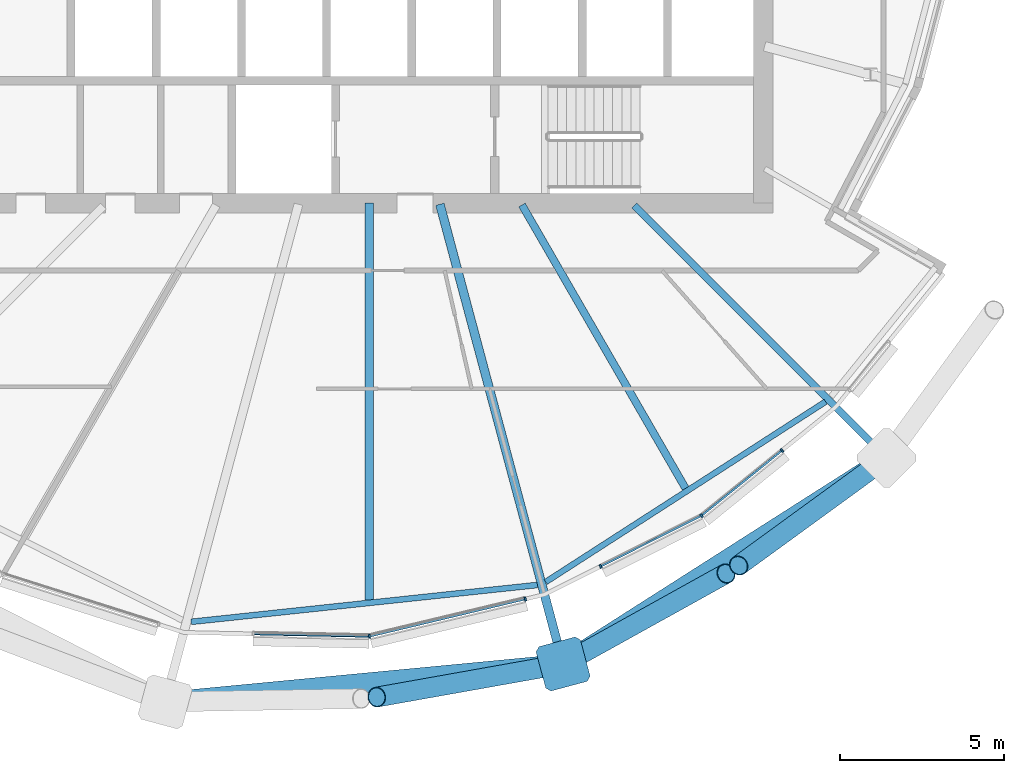
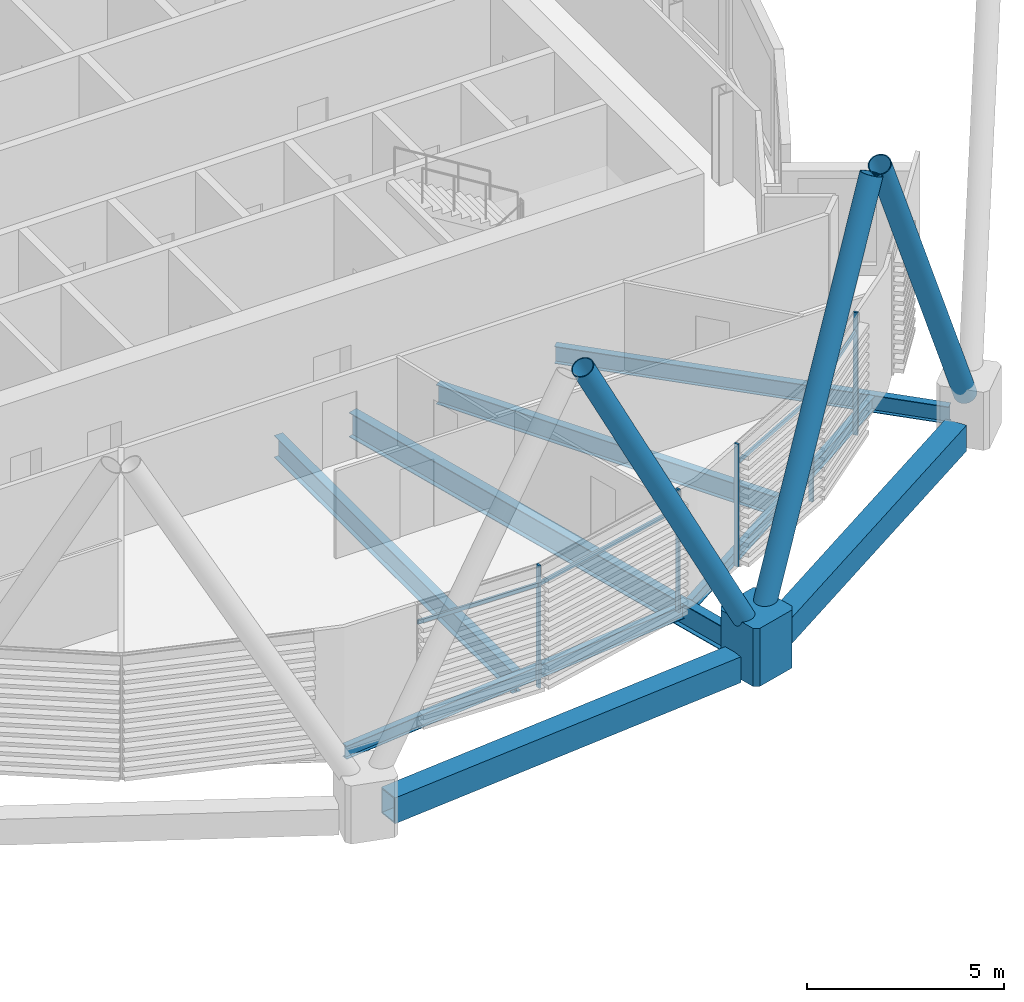
# One storey, part 15 of 38: 13 members, 8 beams, 1 element without a shape of its own.
"""IFC4 building model written with IfcOpenShell, lengths in metres."""

import ifcopenshell
import ifcopenshell.guid

model = None  # the IFC model being written
_history = None  # IfcOwnerHistory: only IFC2X3 demands one
_inside = {}  # id of a spatial element -> (the spatial element, [elements in it])
_under = {}  # id of a project, library or spatial element -> (it, [spatial elements below it])
_declared = {}  # id of a project -> (the project, [libraries it declares])
_typed = {}  # id of a type object -> (the type object, [elements of that type])
_made_of = {}  # id of a material, layer set ... -> (it, [elements and type objects made of it])


def new_model(schema):
    """Start an empty IFC model of exactly this schema.

    Asked for "IFC4X3", IfcOpenShell would pick the latest addendum, in which some entities
    have other attributes; the version numbers below select the first issue.
    IFC2X3 requires an IfcOwnerHistory on every rooted entity: one is made here for all.
    """
    global model, _history
    if schema == "IFC4X3":
        model = ifcopenshell.file(schema_version=(4, 3, 0, 0))
    else:
        model = ifcopenshell.file(schema=schema)
    _inside.clear()
    _under.clear()
    _declared.clear()
    _typed.clear()
    _made_of.clear()
    _history = None
    if model.schema == "IFC2X3":
        org = make("IfcOrganization", Name="unknown")
        user = make(
            "IfcPersonAndOrganization",
            ThePerson=make("IfcPerson", FamilyName="unknown"),
            TheOrganization=org,
        )
        app = make(
            "IfcApplication",
            ApplicationDeveloper=org,
            Version="unknown",
            ApplicationFullName="unknown",
            ApplicationIdentifier="unknown",
        )
        _history = make(
            "IfcOwnerHistory",
            OwningUser=user,
            OwningApplication=app,
            ChangeAction="ADDED",
            CreationDate=0,
        )
    return model


def make(cls, **values):
    """One entity of the class cls with the attributes given. An attribute that is None is left unset."""
    return model.create_entity(
        cls, **{name: value for name, value in values.items() if value is not None}
    )


def rooted(cls, **values):
    """An entity with a GlobalId (a new one), such as an element, a storey or a relation."""
    return make(cls, GlobalId=ifcopenshell.guid.new(), OwnerHistory=_history, **values)


def si_unit(unit_type, name, prefix=None):
    """IfcSIUnit, for example si_unit("LENGTHUNIT", "METRE", prefix="MILLI")."""
    return make("IfcSIUnit", UnitType=unit_type, Prefix=prefix, Name=name)


def assignment(units):
    """IfcUnitAssignment: the units of a project."""
    return None if units is None else make("IfcUnitAssignment", Units=units)


def point(xyz):
    """IfcCartesianPoint."""
    return None if xyz is None else make("IfcCartesianPoint", Coordinates=xyz)


def direction(xyz):
    """IfcDirection."""
    return None if xyz is None else make("IfcDirection", DirectionRatios=xyz)


def frame(location, z_axis=None, x_axis=None):
    """IfcAxis2Placement3D, a coordinate frame: its origin and axes. An axis left out is left unset."""
    return make(
        "IfcAxis2Placement3D",
        Location=point(location),
        Axis=direction(z_axis),
        RefDirection=direction(x_axis),
    )


def frame_2d(location, x_axis=None):
    """IfcAxis2Placement2D, a coordinate frame in the plane: its origin and x axis."""
    return make(
        "IfcAxis2Placement2D", Location=point(location), RefDirection=direction(x_axis)
    )


def origin():
    """The frame at (0, 0, 0) with its axes left unset."""
    return frame((0.0, 0.0, 0.0))


def origin_2d():
    """The frame at (0, 0) in the plane with its x axis left unset."""
    return frame_2d((0.0, 0.0))


def place(relative_to, where):
    """IfcLocalPlacement: puts the frame where relative to a parent placement (None: the world)."""
    return make(
        "IfcLocalPlacement", PlacementRelTo=relative_to, RelativePlacement=where
    )


def context(
    kind, dimensions, precision=None, world=None, true_north=None, identifier=None
):
    """IfcGeometricRepresentationContext, for example the 3D "Model" context."""
    return make(
        "IfcGeometricRepresentationContext",
        ContextIdentifier=identifier,
        ContextType=kind,
        CoordinateSpaceDimension=dimensions,
        Precision=precision,
        WorldCoordinateSystem=world,
        TrueNorth=true_north,
    )


def subcontext(parent, identifier, kind, view, scale=None):
    """IfcGeometricRepresentationSubContext, for example "Body" below "Model"."""
    return make(
        "IfcGeometricRepresentationSubContext",
        ContextIdentifier=identifier,
        ContextType=kind,
        ParentContext=parent,
        TargetScale=scale,
        TargetView=view,
    )


def project(units=None, contexts=None):
    """IfcProject with its units and contexts."""
    return rooted(
        "IfcProject",
        Name="project",
        RepresentationContexts=contexts,
        UnitsInContext=assignment(units),
    )


def spatial(cls, under=None, at=None, **own):
    """A site, building, storey or space (cls), placed at a placement, below another one or the project."""
    s = rooted(cls, ObjectPlacement=at, **own)
    if under is not None:
        _under.setdefault(under.id(), (under, []))[1].append(s)
    return s


def polyline(points):
    """IfcPolyline through the points."""
    return make("IfcPolyline", Points=[point(p) for p in points])


def profile(cls, at=None, kind="AREA", **sizes):
    """A parametric profile (cls). Its sizes go by their IFC names, for example OverallWidth=200.0."""
    return make(cls, ProfileType=kind, Position=at, **sizes)


def rectangle(**sizes):
    """IfcRectangleProfileDef."""
    return profile("IfcRectangleProfileDef", **sizes)


def hollow_rectangle(**sizes):
    """IfcRectangleHollowProfileDef."""
    return profile("IfcRectangleHollowProfileDef", **sizes)


def hollow_circle(**sizes):
    """IfcCircleHollowProfileDef."""
    return profile("IfcCircleHollowProfileDef", **sizes)


def i_section(**sizes):
    """IfcIShapeProfileDef."""
    return profile("IfcIShapeProfileDef", **sizes)


def outline(outer, holes=None, kind="AREA"):
    """IfcArbitraryClosedProfileDef: a profile drawn as a closed curve; with holes, ...WithVoids."""
    if holes is None:
        return make("IfcArbitraryClosedProfileDef", ProfileType=kind, OuterCurve=outer)
    return make(
        "IfcArbitraryProfileDefWithVoids",
        ProfileType=kind,
        OuterCurve=outer,
        InnerCurves=holes,
    )


def extrude(swept, where, along, depth):
    """IfcExtrudedAreaSolid: the profile swept, set in the frame where, extruded along a direction by depth."""
    return make(
        "IfcExtrudedAreaSolid",
        SweptArea=swept,
        Position=where,
        ExtrudedDirection=direction(along),
        Depth=depth,
    )


def shape(context_of_items, identifier, shape_type, items):
    """IfcShapeRepresentation: the items that make up one representation, for example the "Body"."""
    return make(
        "IfcShapeRepresentation",
        ContextOfItems=context_of_items,
        RepresentationIdentifier=identifier,
        RepresentationType=shape_type,
        Items=items,
    )


def material(Name=None, Category=None):
    """IfcMaterial."""
    return make("IfcMaterial", Name=Name, Category=Category)


def material_profile(
    of_material, cross_section, Name=None, Category=None, Priority=None
):
    """IfcMaterialProfile: a cross section and its material."""
    return make(
        "IfcMaterialProfile",
        Name=Name,
        Material=of_material,
        Profile=cross_section,
        Priority=Priority,
        Category=Category,
    )


def profile_set(profiles, Name=None, composite=None):
    """IfcMaterialProfileSet."""
    return make(
        "IfcMaterialProfileSet",
        Name=Name,
        MaterialProfiles=profiles,
        CompositeProfile=composite,
    )


def made_of(thing, what):
    """Note that an element or type object is made of a material, layer set ...; save() writes the relation."""
    if what is not None:
        _made_of.setdefault(what.id(), (what, []))[1].append(thing)
    return thing


def type_object(cls, material=None, **own):
    """A type object (cls), such as IfcWallType, which elements share."""
    return made_of(rooted(cls, **own), material)


def element(
    cls,
    number,
    at=None,
    inside=None,
    cuts=None,
    type_object=None,
    material=None,
    context=None,
    identifier="Body",
    shape_type=None,
    held_by="IfcProductDefinitionShape",
    body=None,
    shapes=None,
    **own,
):
    """One element of the class cls, such as IfcWall. Its Tag is "e" and its number.

    at: its placement. inside: the storey or other place that contains it. cuts: it is an
    opening in that element (IfcRelVoidsElement). A single representation is given by context,
    identifier, shape_type and body (its items); several are given by shapes. held_by: the class
    of the entity that holds the representations. save() writes the other relations.
    """
    e = rooted(cls, Tag="e%d" % number, ObjectPlacement=at, **own)
    if body is not None:
        shapes = [shape(context, identifier, shape_type, body)]
    if shapes is not None:
        e.Representation = make(held_by, Representations=shapes)
    if inside is not None:
        _inside.setdefault(inside.id(), (inside, []))[1].append(e)
    if cuts is not None:
        rooted(
            "IfcRelVoidsElement", RelatingBuildingElement=cuts, RelatedOpeningElement=e
        )
    if type_object is not None:
        _typed.setdefault(type_object.id(), (type_object, []))[1].append(e)
    return made_of(e, material)


def aggregate(whole, parts):
    """IfcRelAggregates: a whole, such as a stair, and the parts it consists of."""
    return rooted("IfcRelAggregates", RelatingObject=whole, RelatedObjects=parts)


def save(model, path):
    """Write the relations noted so far, then the file.

    IfcRelAggregates (storeys below a building ...), IfcRelContainedInSpatialStructure (elements
    in a storey), IfcRelDefinesByType, IfcRelAssociatesMaterial and IfcRelDeclares: one each for
    every whole, place, type object, material and project.
    """
    for whole, parts in _under.values():
        aggregate(whole, parts)
    for where, things in _inside.values():
        rooted(
            "IfcRelContainedInSpatialStructure",
            RelatedElements=things,
            RelatingStructure=where,
        )
    for kind, things in _typed.values():
        rooted("IfcRelDefinesByType", RelatedObjects=things, RelatingType=kind)
    for what, things in _made_of.values():
        rooted("IfcRelAssociatesMaterial", RelatedObjects=things, RelatingMaterial=what)
    for by, libraries in _declared.values():
        rooted("IfcRelDeclares", RelatingContext=by, RelatedDefinitions=libraries)
    model.write(path)


model = new_model("IFC4")

# Units and contexts
model_context = context("Model", 3, precision=1e-05, world=origin(), true_north=direction((0.0, 1.0)))
body_context = subcontext(model_context, "Body", "Model", "MODEL_VIEW")
ifc_project = project(units=[si_unit("LENGTHUNIT", "METRE"), si_unit("AREAUNIT", "SQUARE_METRE"), si_unit("VOLUMEUNIT", "CUBIC_METRE"), si_unit("PLANEANGLEUNIT", "RADIAN"), si_unit("MASSUNIT", "GRAM", prefix="KILO")], contexts=[model_context])

# Site, building, storey
site_placement = place(None, origin())
site = spatial("IfcSite", under=ifc_project, at=site_placement, CompositionType="ELEMENT")
building_placement = place(site_placement, origin())
building = spatial("IfcBuilding", under=site, at=building_placement, Name="Rimbun Link Towers", CompositionType="ELEMENT")
storey_placement = place(building_placement, frame((0.0, 0.0, 158.89990234375)))
storey = spatial("IfcBuildingStorey", under=building, at=storey_placement, Name="L38", CompositionType="ELEMENT", Elevation=158.89990234375)

# Curtain wall, members
ifc_material_1 = material(Name="Aluminium 6063-T6 and low-iron glass", Category="aluminium")
curtain_wall_type = type_object("IfcCurtainWallType", Name="CW1-Z3 unitised vision wall (zone 3)", PredefinedType="NOTDEFINED", material=ifc_material_1)
curtain_wall_placement = place(storey_placement, origin())
curtain_wall = element("IfcCurtainWall", 1, at=curtain_wall_placement, inside=storey, type_object=curtain_wall_type, Name="CW1 L38 T2", PredefinedType="NOTDEFINED")
ifc_material_2 = material(Name="Aluminium 6063-T6", Category="aluminium")
ifc_material_profile_1 = material_profile(ifc_material_2, rectangle(XDim=0.1201171875, YDim=0.06005859375, at=origin_2d()), Name="MULLION 60X120")
ifc_profile_set_1 = profile_set([ifc_material_profile_1], Name="Aluminium 6063-T6")
member_type_1 = type_object("IfcMemberType", Name="CW1 mullion 60X120", PredefinedType="MULLION", material=ifc_profile_set_1)
member_1_placement = place(storey_placement, frame((31.75634765625, -21.19189453125, 0.0), z_axis=(0.0, 0.0, 1.0), x_axis=(0.106647052549, -0.994296940648, 0.0)))
member_1 = element("IfcMember", 2, at=member_1_placement, type_object=member_type_1, Name="CW1 mullion", PredefinedType="MULLION", context=body_context, shape_type="SweptSolid", body=[
    extrude(rectangle(XDim=0.1201171875, YDim=0.06005859375, at=origin_2d()), origin(), (0.0, 0.0, 1.0), 3.800048828125),
])
member_2_placement = place(storey_placement, frame((36.501708984375, -20.057373046875, 0.0), z_axis=(0.0, 0.0, 1.0), x_axis=(0.232610420521, -0.972569993504, 0.0)))
member_2 = element("IfcMember", 3, at=member_2_placement, type_object=member_type_1, Name="CW1 mullion", PredefinedType="MULLION", context=body_context, shape_type="SweptSolid", body=[
    extrude(rectangle(XDim=0.1201171875, YDim=0.06005859375, at=origin_2d()), origin(), (0.0, 0.0, 1.0), 3.800048828125),
])
member_3_placement = place(storey_placement, frame((41.867431640625, -17.517822265625, 0.0), z_axis=(0.0, 0.0, 1.0), x_axis=(0.542099635168, -0.840314218344, 0.0)))
member_3 = element("IfcMember", 4, at=member_3_placement, type_object=member_type_1, Name="CW1 mullion", PredefinedType="MULLION", context=body_context, shape_type="SweptSolid", body=[
    extrude(rectangle(XDim=0.1201171875, YDim=0.06005859375, at=origin_2d()), origin(), (0.0, 0.0, 1.0), 3.800048828125),
])
member_4_placement = place(storey_placement, frame((38.796142578125, -19.060546875, 0.0), z_axis=(0.0, 0.0, 1.0), x_axis=(0.448766277854, -0.893649163744, 0.0)))
member_4 = element("IfcMember", 5, at=member_4_placement, type_object=member_type_1, Name="CW1 mullion", PredefinedType="MULLION", context=body_context, shape_type="SweptSolid", body=[
    extrude(rectangle(XDim=0.1201171875, YDim=0.06005859375, at=origin_2d()), origin(), (0.0, 0.0, 1.0), 3.800048828125),
])
member_5_placement = place(storey_placement, frame((44.3203125, -15.53271484375, 0.0), z_axis=(0.0, 0.0, 1.0), x_axis=(0.629168634373, -0.777268827061, 0.0)))
member_5 = element("IfcMember", 6, at=member_5_placement, type_object=member_type_1, Name="CW1 mullion", PredefinedType="MULLION", context=body_context, shape_type="SweptSolid", body=[
    extrude(rectangle(XDim=0.1201171875, YDim=0.06005859375, at=origin_2d()), origin(), (0.0, 0.0, 1.0), 3.800048828125),
])
ifc_material_3 = material(Name="Aluminium 6063-T6", Category="aluminium")
ifc_material_profile_2 = material_profile(ifc_material_3, rectangle(XDim=0.06005859375, YDim=0.1201171875, at=origin_2d()), Name="TRANSOM 60X120")
ifc_profile_set_2 = profile_set([ifc_material_profile_2], Name="Aluminium 6063-T6")
member_type_2 = type_object("IfcMemberType", Name="CW1 transom 60X120", PredefinedType="USERDEFINED", material=ifc_profile_set_2)
member_6_placement = place(storey_placement, frame((31.71875, -21.189453125, 3.2001953125), z_axis=(-0.999778918494, 0.021026510279, 0.0), x_axis=(-0.021026510279, -0.999778918494, 0.0)))
member_6 = element("IfcMember", 7, at=member_6_placement, type_object=member_type_2, Name="CW1 transom", ObjectType="TRANSOM", PredefinedType="USERDEFINED", context=body_context, shape_type="SweptSolid", body=[
    extrude(rectangle(XDim=0.06005859375, YDim=0.1201171875, at=origin_2d()), origin(), (0.0, 0.0, 1.0), 3.4716796875),
])
member_7_placement = place(storey_placement, frame((36.47216796875, -20.0625, 3.2001953125), z_axis=(-0.972572154377, -0.232601385489, 0.0), x_axis=(0.232601385489, -0.972572154377, 0.0)))
member_7 = element("IfcMember", 8, at=member_7_placement, type_object=member_type_2, Name="CW1 transom", ObjectType="TRANSOM", PredefinedType="USERDEFINED", context=body_context, shape_type="SweptSolid", body=[
    extrude(rectangle(XDim=0.06005859375, YDim=0.1201171875, at=origin_2d()), origin(), (0.0, 0.0, 1.0), 4.8115234375),
])
member_8_placement = place(storey_placement, frame((41.833984375, -17.53271484375, 3.2001953125), z_axis=(-0.893658038101, -0.448748605499, 0.0), x_axis=(0.448748605499, -0.893658038101, 0.0)))
member_8 = element("IfcMember", 9, at=member_8_placement, type_object=member_type_2, Name="CW1 transom", ObjectType="TRANSOM", PredefinedType="USERDEFINED", context=body_context, shape_type="SweptSolid", body=[
    extrude(rectangle(XDim=0.06005859375, YDim=0.1201171875, at=origin_2d()), origin(), (0.0, 0.0, 1.0), 3.370361328125),
])
member_9_placement = place(storey_placement, frame((44.295654296875, -15.550048828125, 3.2001953125), z_axis=(-0.777270636352, -0.629166399186, 0.0), x_axis=(0.629166399186, -0.777270636352, 0.0)))
member_9 = element("IfcMember", 10, at=member_9_placement, type_object=member_type_2, Name="CW1 transom", ObjectType="TRANSOM", PredefinedType="USERDEFINED", context=body_context, shape_type="SweptSolid", body=[
    extrude(rectangle(XDim=0.06005859375, YDim=0.1201171875, at=origin_2d()), origin(), (0.0, 0.0, 1.0), 3.089111328125),
])
aggregate(curtain_wall, [member_1, member_2, member_3, member_4, member_5, member_6, member_7, member_8, member_9])

# Members
ifc_material_4 = material(Name="Steel S355J2H", Category="steel")
ifc_material_profile_3 = material_profile(ifc_material_4, hollow_circle(Radius=0.3046875, WallThickness=0.02490234375, at=origin_2d()), Name="Diagrid diagonal CHS 610x25")
ifc_profile_set_3 = profile_set([ifc_material_profile_3], Name="Steel S355J2H")
member_type_3 = type_object("IfcMemberType", Name="Diagrid diagonal CHS 610x25", PredefinedType="BRACE", material=ifc_profile_set_3)
member_10_placement = place(storey_placement, frame((37.424560546875, -22.07373046875, 0.442626953125), z_axis=(-0.458330415356, -0.081518864675, 0.88503553887), x_axis=(0.175112257687, -0.984548473772, 0.0)))
element("IfcMember", 11, at=member_10_placement, inside=storey, type_object=member_type_3, Name="Diagrid diagonal T2 L38-L41 16a", PredefinedType="BRACE", context=body_context, shape_type="SweptSolid", body=[
    extrude(hollow_circle(Radius=0.3046875, WallThickness=0.02490234375, at=origin_2d()), origin(), (0.0, 0.0, 1.0), 11.880859375),
])
member_11_placement = place(storey_placement, frame((37.854736328125, -21.92138671875, 0.444091796875), z_axis=(0.402187533502, 0.2230983867, 0.887959626192), x_axis=(-0.48507936887, 0.874470128647, 0.0)))
element("IfcMember", 12, at=member_11_placement, inside=storey, type_object=member_type_3, Name="Diagrid diagonal T2 L38-L41 16b", PredefinedType="BRACE", context=body_context, shape_type="SweptSolid", body=[
    extrude(hollow_circle(Radius=0.3046875, WallThickness=0.02490234375, at=origin_2d()), origin(), (0.0, 0.0, 1.0), 11.83837890625),
])
member_12_placement = place(storey_placement, frame((47.322509765625, -15.88916015625, 0.44580078125), z_axis=(-0.366571481514, -0.266847804455, 0.891301070457), x_axis=(0.588532792202, -0.808473346811, 0.0)))
element("IfcMember", 13, at=member_12_placement, inside=storey, type_object=member_type_3, Name="Diagrid diagonal T2 L38-L41 18a", PredefinedType="BRACE", context=body_context, shape_type="SweptSolid", body=[
    extrude(hollow_circle(Radius=0.3046875, WallThickness=0.02490234375, at=origin_2d()), origin(), (0.0, 0.0, 1.0), 11.790283203125),
])
ifc_material_5 = material(Name="Cast steel G20Mn5+QT, Rp0.2 300 MPa", Category="steel")
ifc_material_profile_4 = material_profile(ifc_material_5, outline(polyline([(0.699951171875, -0.570068359375), (0.699951171875, 0.570068359375), (0.570068359375, 0.699951171875), (-0.570068359375, 0.699951171875), (-0.699951171875, 0.570068359375), (-0.699951171875, -0.570068359375), (-0.570068359375, -0.699951171875), (0.570068359375, -0.699951171875), (0.699951171875, -0.570068359375)])), Name="NODE 1400x1400")
ifc_profile_set_4 = profile_set([ifc_material_profile_4], Name="Cast steel G20Mn5+QT, Rp0.2 300 MPa")
member_type_4 = type_object("IfcMemberType", Name="Diagrid node cast 1400", PredefinedType="USERDEFINED", material=ifc_profile_set_4)
member_13_placement = place(storey_placement, frame((37.65380859375, -22.032958984375, -0.89990234375), z_axis=(0.0, 0.0, 1.0), x_axis=(0.258819045103, -0.965925826289, 0.0)))
element("IfcMember", 14, at=member_13_placement, inside=storey, type_object=member_type_4, Name="Diagrid node L38 16", ObjectType="Diagrid node", PredefinedType="USERDEFINED", context=body_context, shape_type="SweptSolid", body=[
    extrude(outline(polyline([(0.699951171875, -0.570068359375), (0.699951171875, 0.570068359375), (0.570068359375, 0.699951171875), (-0.570068359375, 0.699951171875), (-0.699951171875, 0.570068359375), (-0.699951171875, -0.570068359375), (-0.570068359375, -0.699951171875), (0.570068359375, -0.699951171875), (0.699951171875, -0.570068359375)])), origin(), (0.0, 0.0, 1.0), 1.800048828125),
])

# Beams
ifc_material_6 = material(Name="Steel S355J2", Category="steel")
ifc_material_profile_5 = material_profile(ifc_material_6, hollow_rectangle(XDim=0.60009765625, YDim=0.800048828125, WallThickness=0.0400390625, at=origin_2d()), Name="Exoskeleton ring girder BOX 600x800x40")
ifc_profile_set_5 = profile_set([ifc_material_profile_5], Name="Steel S355J2")
beam_type_1 = type_object("IfcBeamType", Name="Exoskeleton ring girder BOX 600x800x40", PredefinedType="BEAM", material=ifc_profile_set_5)
beam_1_placement = place(storey_placement, frame((26.23388671875, -23.12060546875, -0.559814453125), z_axis=(0.995495370726, 0.09481016224, 0.0), x_axis=(-0.09481016224, 0.995495370726, 0.0)))
element("IfcBeam", 15, at=beam_1_placement, inside=storey, type_object=beam_type_1, Name="Exoskeleton ring girder L38 07", PredefinedType="BEAM", context=body_context, shape_type="SweptSolid", body=[
    extrude(hollow_rectangle(XDim=0.60009765625, YDim=0.800048828125, WallThickness=0.0400390625, at=origin_2d()), origin(), (0.0, 0.0, 1.0), 10.771484375),
])
beam_2_placement = place(storey_placement, frame((38.244140625, -21.65673828125, -0.559814453125), z_axis=(0.843357274533, 0.537353242748, 0.0), x_axis=(-0.537353242748, 0.843357274533, 0.0)))
element("IfcBeam", 16, at=beam_2_placement, inside=storey, type_object=beam_type_1, Name="Exoskeleton ring girder L38 08", PredefinedType="BEAM", context=body_context, shape_type="SweptSolid", body=[
    extrude(hollow_rectangle(XDim=0.60009765625, YDim=0.800048828125, WallThickness=0.0400390625, at=origin_2d()), origin(), (0.0, 0.0, 1.0), 10.28173828125),
])
ifc_material_7 = material(Name="Steel S355J2", Category="steel")
ifc_material_profile_6 = material_profile(ifc_material_7, i_section(OverallWidth=0.177978515625, OverallDepth=0.406494140625, WebThickness=0.0078125, FlangeThickness=0.0126953125, at=origin_2d()), Name="UB 406x178x60")
ifc_profile_set_6 = profile_set([ifc_material_profile_6], Name="Steel S355J2")
beam_type_2 = type_object("IfcBeamType", Name="UB 406x178x60", PredefinedType="BEAM", material=ifc_profile_set_6)
beam_3_placement = place(storey_placement, frame((26.3291015625, -20.749755859375, -0.35302734375), z_axis=(0.994377257736, 0.105895558437, 0.0), x_axis=(-0.105895558437, 0.994377257736, 0.0)))
element("IfcBeam", 17, at=beam_3_placement, inside=storey, type_object=beam_type_2, Name="Edge beam T2 L38 14-16", PredefinedType="BEAM", context=body_context, shape_type="SweptSolid", body=[
    extrude(i_section(OverallWidth=0.177978515625, OverallDepth=0.406494140625, WebThickness=0.0078125, FlangeThickness=0.0126953125, at=origin_2d()), origin(), (0.0, 0.0, 1.0), 10.6005859375),
])
beam_4_placement = place(storey_placement, frame((37.123779296875, -19.53662109375, -0.35302734375), z_axis=(0.840628779979, 0.541611719105, 0.0), x_axis=(-0.541611719105, 0.840628779979, 0.0)))
element("IfcBeam", 18, at=beam_4_placement, inside=storey, type_object=beam_type_2, Name="Edge beam T2 L38 16-18", PredefinedType="BEAM", context=body_context, shape_type="SweptSolid", body=[
    extrude(i_section(OverallWidth=0.177978515625, OverallDepth=0.406494140625, WebThickness=0.0078125, FlangeThickness=0.0126953125, at=origin_2d()), origin(), (0.0, 0.0, 1.0), 10.13818359375),
])
ifc_material_8 = material(Name="Steel S355J2", Category="steel")
ifc_material_profile_7 = material_profile(ifc_material_8, i_section(OverallWidth=0.209228515625, OverallDepth=0.533203125, WebThickness=0.010009765625, FlangeThickness=0.015625, at=origin_2d()), Name="UB 533x210x92")
ifc_profile_set_7 = profile_set([ifc_material_profile_7], Name="Steel S355J2")
beam_type_3 = type_object("IfcBeamType", Name="UB 533x210x92", PredefinedType="BEAM", material=ifc_profile_set_7)
beam_5_placement = place(storey_placement, frame((39.82470703125, -8.07470703125, -0.41650390625), z_axis=(0.707106781187, -0.707106781187, 0.0), x_axis=(0.707106781187, 0.707106781187, 0.0)))
element("IfcBeam", 19, at=beam_5_placement, inside=storey, type_object=beam_type_3, Name="Radial beam T2 L38 18", PredefinedType="BEAM", context=body_context, shape_type="SweptSolid", body=[
    extrude(i_section(OverallWidth=0.209228515625, OverallDepth=0.533203125, WebThickness=0.010009765625, FlangeThickness=0.015625, at=origin_2d()), origin(), (0.0, 0.0, 1.0), 10.362548828125),
])
ifc_material_9 = material(Name="Steel S355J2", Category="steel")
ifc_material_profile_8 = material_profile(ifc_material_9, i_section(OverallWidth=0.2275390625, OverallDepth=0.6025390625, WebThickness=0.010498046875, FlangeThickness=0.014892578125, at=origin_2d()), Name="UB 610x229x101")
ifc_profile_set_8 = profile_set([ifc_material_profile_8], Name="Steel S355J2")
beam_type_4 = type_object("IfcBeamType", Name="UB 610x229x101", PredefinedType="BEAM", material=ifc_profile_set_8)
beam_6_placement = place(storey_placement, frame((36.402099609375, -8.057861328125, -0.451171875), z_axis=(0.500010957915, -0.866019077137, 0.0), x_axis=(0.866019077137, 0.500010957915, 0.0)))
element("IfcBeam", 20, at=beam_6_placement, inside=storey, type_object=beam_type_4, Name="Radial beam T2 L38 17", PredefinedType="BEAM", context=body_context, shape_type="SweptSolid", body=[
    extrude(i_section(OverallWidth=0.2275390625, OverallDepth=0.6025390625, WebThickness=0.010498046875, FlangeThickness=0.014892578125, at=origin_2d()), origin(), (0.0, 0.0, 1.0), 9.962158203125),
])
ifc_material_10 = material(Name="Steel S355J2", Category="steel")
ifc_material_profile_9 = material_profile(ifc_material_10, i_section(OverallWidth=0.253662109375, OverallDepth=0.68359375, WebThickness=0.012451171875, FlangeThickness=0.01904296875, at=origin_2d()), Name="UB 686x254x140")
ifc_profile_set_9 = profile_set([ifc_material_profile_9], Name="Steel S355J2")
beam_type_5 = type_object("IfcBeamType", Name="UB 686x254x140", PredefinedType="BEAM", material=ifc_profile_set_9)
beam_7_placement = place(storey_placement, frame((31.75, -8.0009765625, -0.49169921875), z_axis=(0.0, -1.0, 0.0), x_axis=(1.0, 0.0, 0.0)))
element("IfcBeam", 21, at=beam_7_placement, inside=storey, type_object=beam_type_5, Name="Radial beam T2 L38 15", PredefinedType="BEAM", context=body_context, shape_type="SweptSolid", body=[
    extrude(i_section(OverallWidth=0.253662109375, OverallDepth=0.68359375, WebThickness=0.012451171875, FlangeThickness=0.01904296875, at=origin_2d()), origin(), (0.0, 0.0, 1.0), 12.0810546875),
])
ifc_material_11 = material(Name="Steel S355J2", Category="steel")
ifc_material_profile_10 = material_profile(ifc_material_11, i_section(OverallWidth=0.2666015625, OverallDepth=0.76220703125, WebThickness=0.014404296875, FlangeThickness=0.021484375, at=origin_2d()), Name="UB 762x267x173")
ifc_profile_set_10 = profile_set([ifc_material_profile_10], Name="Steel S355J2")
beam_type_6 = type_object("IfcBeamType", Name="UB 762x267x173", PredefinedType="BEAM", material=ifc_profile_set_10)
beam_8_placement = place(storey_placement, frame((33.903076171875, -8.035400390625, -0.531005859375), z_axis=(0.258829993093, -0.965922892717, 0.0), x_axis=(0.965922892717, 0.258829993093, 0.0)))
element("IfcBeam", 22, at=beam_8_placement, inside=storey, type_object=beam_type_6, Name="Radial beam T2 L38 16", PredefinedType="BEAM", context=body_context, shape_type="SweptSolid", body=[
    extrude(i_section(OverallWidth=0.2666015625, OverallDepth=0.76220703125, WebThickness=0.014404296875, FlangeThickness=0.021484375, at=origin_2d()), origin(), (0.0, 0.0, 1.0), 13.9912109375),
])

save(model, "model.ifc")
